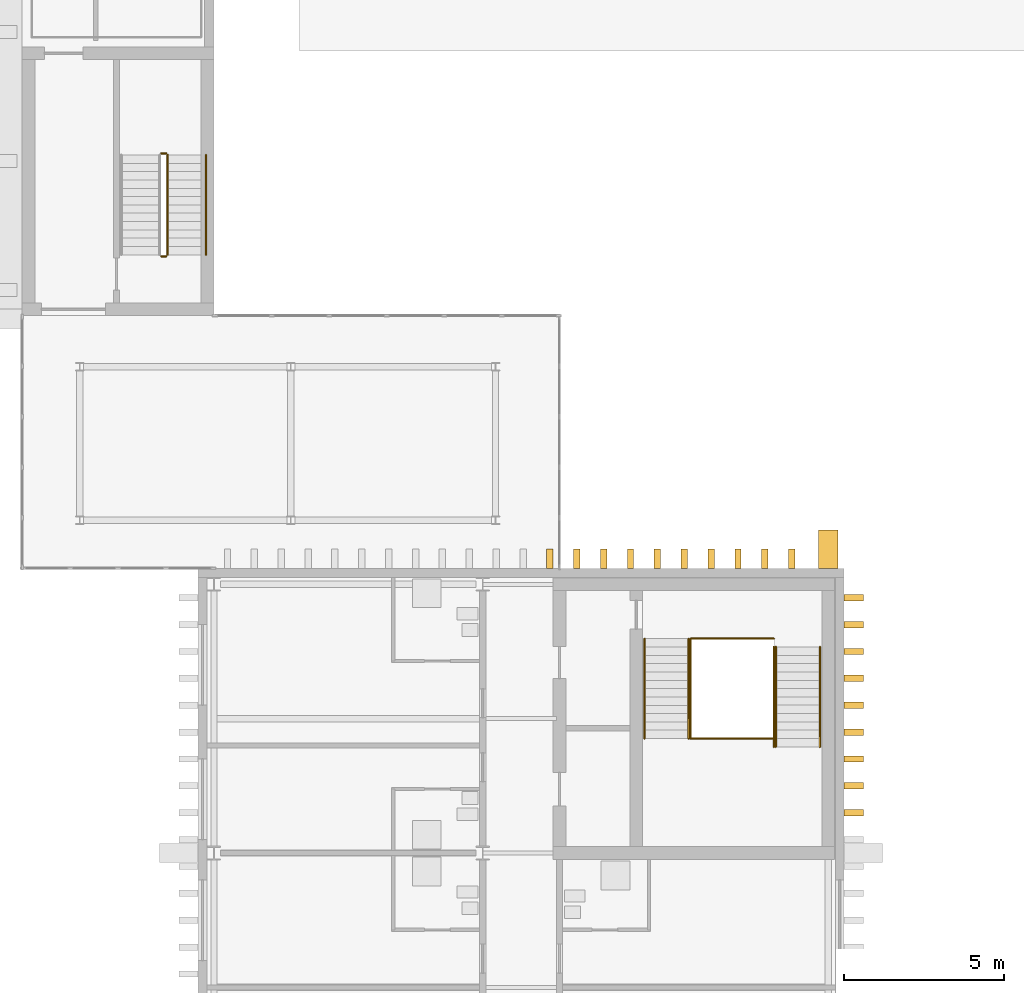
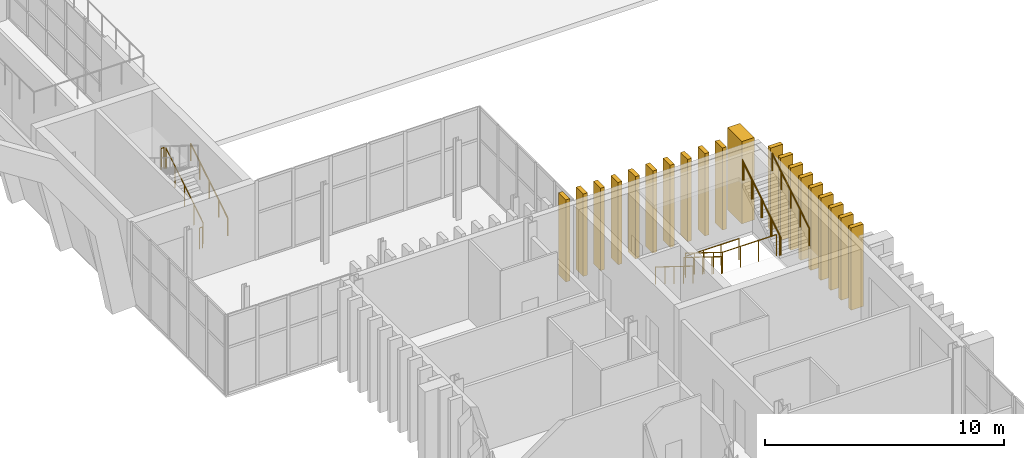
# One storey, part 93 of 96: 20 coverings, 12 railings.
"""IFC4 building model written with IfcOpenShell, lengths in metres."""

from ifc_helpers import new_model, si_unit, direction, frame, origin, origin_2d, place, context, subcontext, project, spatial, rectangle, circle, extrude, material, type_object, element, save


model = new_model("IFC4")

# Units and contexts
model_context = context("Model", 3, precision=1e-05, world=origin(), true_north=direction((0.0, 1.0)))
body_context = subcontext(model_context, "Body", "Model", "MODEL_VIEW")
ifc_project = project(units=[si_unit("LENGTHUNIT", "METRE"), si_unit("AREAUNIT", "SQUARE_METRE"), si_unit("VOLUMEUNIT", "CUBIC_METRE"), si_unit("PLANEANGLEUNIT", "RADIAN"), si_unit("MASSUNIT", "GRAM", prefix="KILO")], contexts=[model_context])

# Site, building, storey
site_placement = place(None, origin())
site = spatial("IfcSite", under=ifc_project, at=site_placement, CompositionType="ELEMENT")
building_placement = place(site_placement, origin())
building = spatial("IfcBuilding", under=site, at=building_placement, Name="Cresset Court Congress Hotel", CompositionType="ELEMENT")
storey_placement = place(building_placement, frame((0.0, 0.0, 6.0)))
storey = spatial("IfcBuildingStorey", under=building, at=storey_placement, Name="L01", CompositionType="ELEMENT", Elevation=6.0)

# Railing
ifc_material_1 = material(Name="Stainless steel", Category="steel")
railing_type_1 = type_object("IfcRailingType", Name="Handrail 900", PredefinedType="HANDRAIL", material=ifc_material_1)
railing_1_placement = place(storey_placement, frame((156.949951171875, 77.5, 0.16162109375)))
element("IfcRailing", 1, at=railing_1_placement, inside=storey, type_object=railing_type_1, Name="L01 ST-E2 stair handrail 1", PredefinedType="HANDRAIL", context=body_context, shape_type="SweptSolid", body=[
    extrude(circle(Radius=0.02392578125, at=origin_2d()), frame((0.0, 0.0, 0.8759765625), z_axis=(0.0, 0.849414166554, 0.527726798313), x_axis=(-1.0, 0.0, 0.0)), (0.0, 0.0, 1.0), 3.67333984375),
    extrude(circle(Radius=0.02099609375, at=origin_2d()), origin(), (0.0, 0.0, 1.0), 0.851806640625),
    extrude(circle(Radius=0.02099609375, at=origin_2d()), frame((0.0, 0.780029296875, 0.484619140625)), (0.0, 0.0, 1.0), 0.851806640625),
    extrude(circle(Radius=0.02099609375, at=origin_2d()), frame((0.0, 1.56005859375, 0.96923828125)), (0.0, 0.0, 1.0), 0.851806640625),
    extrude(circle(Radius=0.02099609375, at=origin_2d()), frame((0.0, 2.340087890625, 1.453857421875)), (0.0, 0.0, 1.0), 0.851806640625),
    extrude(circle(Radius=0.02099609375, at=origin_2d()), frame((0.0, 3.1201171875, 1.9384765625)), (0.0, 0.0, 1.0), 0.851806640625),
])

# Coverings
ifc_material_2 = material(Name="Precast concrete C50", Category="concrete")
covering_type_1 = type_object("IfcCoveringType", Name="Precast stone fin 200x600", PredefinedType="CLADDING", material=ifc_material_2)
for number, where, z_axis, x_axis, name in (
    (2, (177.199951171875, 60.06005859375, 0.0), (0.0, 0.0, 1.0), (1.0, 0.0, 0.0), "Fin E072"),
    (3, (177.199951171875, 60.89990234375, 0.0), (0.0, 0.0, 1.0), (1.0, 0.0, 0.0), "Fin E073"),
    (4, (177.199951171875, 61.739990234375, 0.0), (0.0, 0.0, 1.0), (1.0, 0.0, 0.0), "Fin E074"),
    (5, (177.199951171875, 62.580078125, 0.0), (0.0, 0.0, 1.0), (1.0, 0.0, 0.0), "Fin E075"),
    (6, (177.199951171875, 63.419921875, 0.0), (0.0, 0.0, 1.0), (1.0, 0.0, 0.0), "Fin E076"),
    (7, (177.199951171875, 64.260009765625, 0.0), (0.0, 0.0, 1.0), (1.0, 0.0, 0.0), "Fin E077"),
    (8, (177.199951171875, 65.10009765625, 0.0), (0.0, 0.0, 1.0), (1.0, 0.0, 0.0), "Fin E078"),
    (9, (177.199951171875, 65.93994140625, 0.0), (0.0, 0.0, 1.0), (1.0, 0.0, 0.0), "Fin E079"),
    (10, (177.199951171875, 66.780029296875, 0.0), (0.0, 0.0, 1.0), (1.0, 0.0, 0.0), "Fin E080"),
):
    element("IfcCovering", number, at=place(storey_placement, frame(where, z_axis=z_axis, x_axis=x_axis)), inside=storey, type_object=covering_type_1, Name=name, PredefinedType="CLADDING", context=body_context, shape_type="SweptSolid", body=[
        extrude(rectangle(XDim=0.60009765625, YDim=0.199951171875, at=origin_2d()), origin(), (0.0, 0.0, 1.0), 4.199951171875),
    ])
for number, where, z_axis, x_axis, name in (
    (11, (167.699951171875, 68.0, 0.0), (0.0, 0.0, 1.0), (1.0, 0.0, 0.0), "Fin N013"),
    (12, (168.5400390625, 68.0, 0.0), (0.0, 0.0, 1.0), (1.0, 0.0, 0.0), "Fin N014"),
    (13, (169.3798828125, 68.0, 0.0), (0.0, 0.0, 1.0), (1.0, 0.0, 0.0), "Fin N015"),
    (14, (170.219970703125, 68.0, 0.0), (0.0, 0.0, 1.0), (1.0, 0.0, 0.0), "Fin N016"),
    (15, (171.06005859375, 68.0, 0.0), (0.0, 0.0, 1.0), (1.0, 0.0, 0.0), "Fin N017"),
    (16, (171.89990234375, 68.0, 0.0), (0.0, 0.0, 1.0), (1.0, 0.0, 0.0), "Fin N018"),
    (17, (172.739990234375, 68.0, 0.0), (0.0, 0.0, 1.0), (1.0, 0.0, 0.0), "Fin N019"),
    (18, (173.580078125, 68.0, 0.0), (0.0, 0.0, 1.0), (1.0, 0.0, 0.0), "Fin N020"),
    (19, (174.419921875, 68.0, 0.0), (0.0, 0.0, 1.0), (1.0, 0.0, 0.0), "Fin N021"),
    (20, (175.260009765625, 68.0, 0.0), (0.0, 0.0, 1.0), (1.0, 0.0, 0.0), "Fin N022"),
):
    element("IfcCovering", number, at=place(storey_placement, frame(where, z_axis=z_axis, x_axis=x_axis)), inside=storey, type_object=covering_type_1, Name=name, PredefinedType="CLADDING", context=body_context, shape_type="SweptSolid", body=[
        extrude(rectangle(XDim=0.199951171875, YDim=0.60009765625, at=origin_2d()), origin(), (0.0, 0.0, 1.0), 4.199951171875),
    ])
ifc_material_3 = material(Name="Precast concrete C50", Category="concrete")
covering_type_2 = type_object("IfcCoveringType", Name="Precast stone pier 600x1200", PredefinedType="CLADDING", material=ifc_material_3)
covering_placement = place(storey_placement, frame((176.39990234375, 68.300048828125, 0.0), z_axis=(0.0, 0.0, 1.0), x_axis=(1.0, 0.0, 0.0)))
element("IfcCovering", 21, at=covering_placement, inside=storey, type_object=covering_type_2, Name="Pier N03", PredefinedType="CLADDING", context=body_context, shape_type="SweptSolid", body=[
    extrude(rectangle(XDim=0.60009765625, YDim=1.199951171875, at=origin_2d()), origin(), (0.0, 0.0, 1.0), 4.199951171875),
])

# Railings
ifc_material_4 = material(Name="Stainless steel", Category="steel")
railing_type_2 = type_object("IfcRailingType", Name="Stair guard 1100", PredefinedType="GUARDRAIL", material=ifc_material_4)
railing_2_placement = place(storey_placement, frame((172.10009765625, 65.5, 0.16162109375)))
element("IfcRailing", 22, at=railing_2_placement, inside=storey, type_object=railing_type_2, Name="Guard A2 L01", PredefinedType="GUARDRAIL", context=body_context, shape_type="SweptSolid", body=[
    extrude(circle(Radius=0.02392578125, at=origin_2d()), frame((0.0, 0.0, 1.076171875), z_axis=(0.0, -0.849414166554, 0.527726798313), x_axis=(1.0, 0.0, 0.0)), (0.0, 0.0, 1.0), 3.67333984375),
    extrude(circle(Radius=0.02099609375, at=origin_2d()), origin(), (0.0, 0.0, 1.0), 1.052001953125),
    extrude(circle(Radius=0.02099609375, at=origin_2d()), frame((0.0, -0.780029296875, 0.484619140625)), (0.0, 0.0, 1.0), 1.052001953125),
    extrude(circle(Radius=0.02099609375, at=origin_2d()), frame((0.0, -1.56005859375, 0.96923828125)), (0.0, 0.0, 1.0), 1.052001953125),
    extrude(circle(Radius=0.02099609375, at=origin_2d()), frame((0.0, -2.340087890625, 1.453857421875)), (0.0, 0.0, 1.0), 1.052001953125),
    extrude(circle(Radius=0.02099609375, at=origin_2d()), frame((0.0, -3.1201171875, 1.9384765625)), (0.0, 0.0, 1.0), 1.052001953125),
])
railing_3_placement = place(storey_placement, frame((174.699951171875, 62.1201171875, 2.261474609375)))
element("IfcRailing", 23, at=railing_3_placement, inside=storey, type_object=railing_type_2, Name="Guard A2 L01", PredefinedType="GUARDRAIL", context=body_context, shape_type="SweptSolid", body=[
    extrude(circle(Radius=0.02392578125, at=origin_2d()), frame((0.0, 0.0, 1.076171875), z_axis=(0.0, 0.849395654964, 0.52775659288), x_axis=(-1.0, 0.0, 0.0)), (0.0, 0.0, 1.0), 3.673095703125),
    extrude(circle(Radius=0.02099609375, at=origin_2d()), origin(), (0.0, 0.0, 1.0), 1.052001953125),
    extrude(circle(Radius=0.02099609375, at=origin_2d()), frame((0.0, 0.780029296875, 0.484619140625)), (0.0, 0.0, 1.0), 1.052001953125),
    extrude(circle(Radius=0.02099609375, at=origin_2d()), frame((0.0, 1.56005859375, 0.96923828125)), (0.0, 0.0, 1.0), 1.052001953125),
    extrude(circle(Radius=0.02099609375, at=origin_2d()), frame((0.0, 2.33984375, 1.453857421875)), (0.0, 0.0, 1.0), 1.052001953125),
    extrude(circle(Radius=0.02099609375, at=origin_2d()), frame((0.0, 3.119873046875, 1.9384765625)), (0.0, 0.0, 1.0), 1.052001953125),
])
for number, where, name in (
    (24, (172.10009765625, 65.5, 0.0), "Guard A2 L01"),
    (25, (172.10009765625, 62.3798828125, 2.10009765625), "Guard A2 L01"),
):
    element("IfcRailing", number, at=place(storey_placement, frame(where)), inside=storey, type_object=railing_type_2, Name=name, PredefinedType="GUARDRAIL", context=body_context, shape_type="SweptSolid", body=[
        extrude(circle(Radius=0.02392578125, at=origin_2d()), frame((0.0, 0.0, 1.076171875), z_axis=(1.0, 0.0, 0.0), x_axis=(0.0, 1.0, 0.0)), (0.0, 0.0, 1.0), 2.599853515625),
        extrude(circle(Radius=0.02099609375, at=origin_2d()), origin(), (0.0, 0.0, 1.0), 1.052001953125),
        extrude(circle(Radius=0.02099609375, at=origin_2d()), frame((0.86669921875, 0.0, 0.0)), (0.0, 0.0, 1.0), 1.052001953125),
        extrude(circle(Radius=0.02099609375, at=origin_2d()), frame((1.733154296875, 0.0, 0.0)), (0.0, 0.0, 1.0), 1.052001953125),
        extrude(circle(Radius=0.02099609375, at=origin_2d()), frame((2.599853515625, 0.0, 0.0)), (0.0, 0.0, 1.0), 1.052001953125),
    ])
ifc_material_5 = material(Name="Stainless steel", Category="steel")
railing_type_3 = type_object("IfcRailingType", Name="Stair guard 1100 internal", PredefinedType="GUARDRAIL", material=ifc_material_5)
railing_4_placement = place(storey_placement, frame((155.75, 77.5, 0.16162109375)))
element("IfcRailing", 26, at=railing_4_placement, inside=storey, type_object=railing_type_3, Name="L01 ST-E2 stair guard 1", PredefinedType="GUARDRAIL", context=body_context, shape_type="SweptSolid", body=[
    extrude(circle(Radius=0.02392578125, at=origin_2d()), frame((0.0, 0.0, 1.076171875), z_axis=(0.0, 0.849414166554, 0.527726798313), x_axis=(-1.0, 0.0, 0.0)), (0.0, 0.0, 1.0), 3.67333984375),
    extrude(circle(Radius=0.02099609375, at=origin_2d()), origin(), (0.0, 0.0, 1.0), 1.052001953125),
    extrude(circle(Radius=0.02099609375, at=origin_2d()), frame((0.0, 0.780029296875, 0.484619140625)), (0.0, 0.0, 1.0), 1.052001953125),
    extrude(circle(Radius=0.02099609375, at=origin_2d()), frame((0.0, 1.56005859375, 0.96923828125)), (0.0, 0.0, 1.0), 1.052001953125),
    extrude(circle(Radius=0.02099609375, at=origin_2d()), frame((0.0, 2.340087890625, 1.453857421875)), (0.0, 0.0, 1.0), 1.052001953125),
    extrude(circle(Radius=0.02099609375, at=origin_2d()), frame((0.0, 3.1201171875, 1.9384765625)), (0.0, 0.0, 1.0), 1.052001953125),
])
for number, where, name in (
    (27, (155.699951171875, 80.669921875, 2.10009765625), "L01 ST-E2 stair guard 2"),
    (28, (155.699951171875, 77.449951171875, 0.0), "L01 ST-E2 stair guard 4"),
):
    element("IfcRailing", number, at=place(storey_placement, frame(where)), inside=storey, type_object=railing_type_3, Name=name, PredefinedType="GUARDRAIL", context=body_context, shape_type="SweptSolid", body=[
        extrude(circle(Radius=0.02392578125, at=origin_2d()), frame((0.0, 0.0, 1.076171875), z_axis=(-1.0, 0.0, 0.0), x_axis=(0.0, -1.0, 0.0)), (0.0, 0.0, 1.0), 0.14990234375),
        extrude(circle(Radius=0.02099609375, at=origin_2d()), origin(), (0.0, 0.0, 1.0), 1.052001953125),
        extrude(circle(Radius=0.02099609375, at=origin_2d()), frame((-0.14990234375, 0.0, 0.0)), (0.0, 0.0, 1.0), 1.052001953125),
    ])
ifc_material_6 = material(Name="Stainless steel", Category="steel")
railing_type_4 = type_object("IfcRailingType", Name="Stair handrail 900", PredefinedType="HANDRAIL", material=ifc_material_6)
for number, where, name in (
    (29, (170.659912109375, 65.5, 0.16162109375), "Handrail A2 L01"),
    (30, (172.0400390625, 65.5, 0.16162109375), "Handrail A2 L01"),
):
    element("IfcRailing", number, at=place(storey_placement, frame(where)), inside=storey, type_object=railing_type_4, Name=name, PredefinedType="HANDRAIL", context=body_context, shape_type="SweptSolid", body=[
        extrude(circle(Radius=0.02392578125, at=origin_2d()), frame((0.0, 0.0, 0.8759765625), z_axis=(0.0, -0.849414166554, 0.527726798313), x_axis=(1.0, 0.0, 0.0)), (0.0, 0.0, 1.0), 3.67333984375),
        extrude(circle(Radius=0.02099609375, at=origin_2d()), origin(), (0.0, 0.0, 1.0), 0.851806640625),
        extrude(circle(Radius=0.02099609375, at=origin_2d()), frame((0.0, -0.780029296875, 0.484619140625)), (0.0, 0.0, 1.0), 0.851806640625),
        extrude(circle(Radius=0.02099609375, at=origin_2d()), frame((0.0, -1.56005859375, 0.96923828125)), (0.0, 0.0, 1.0), 0.851806640625),
        extrude(circle(Radius=0.02099609375, at=origin_2d()), frame((0.0, -2.340087890625, 1.453857421875)), (0.0, 0.0, 1.0), 0.851806640625),
        extrude(circle(Radius=0.02099609375, at=origin_2d()), frame((0.0, -3.1201171875, 1.9384765625)), (0.0, 0.0, 1.0), 0.851806640625),
    ])
for number, where, name in (
    (31, (174.760009765625, 62.1201171875, 2.261474609375), "Handrail A2 L01"),
    (32, (176.139892578125, 62.1201171875, 2.261474609375), "Handrail A2 L01"),
):
    element("IfcRailing", number, at=place(storey_placement, frame(where)), inside=storey, type_object=railing_type_4, Name=name, PredefinedType="HANDRAIL", context=body_context, shape_type="SweptSolid", body=[
        extrude(circle(Radius=0.02392578125, at=origin_2d()), frame((0.0, 0.0, 0.8759765625), z_axis=(0.0, 0.849395654964, 0.52775659288), x_axis=(-1.0, 0.0, 0.0)), (0.0, 0.0, 1.0), 3.673095703125),
        extrude(circle(Radius=0.02099609375, at=origin_2d()), origin(), (0.0, 0.0, 1.0), 0.851806640625),
        extrude(circle(Radius=0.02099609375, at=origin_2d()), frame((0.0, 0.780029296875, 0.484619140625)), (0.0, 0.0, 1.0), 0.851806640625),
        extrude(circle(Radius=0.02099609375, at=origin_2d()), frame((0.0, 1.56005859375, 0.96923828125)), (0.0, 0.0, 1.0), 0.851806640625),
        extrude(circle(Radius=0.02099609375, at=origin_2d()), frame((0.0, 2.33984375, 1.453857421875)), (0.0, 0.0, 1.0), 0.851806640625),
        extrude(circle(Radius=0.02099609375, at=origin_2d()), frame((0.0, 3.119873046875, 1.9384765625)), (0.0, 0.0, 1.0), 0.851806640625),
    ])

save(model, "model.ifc")
